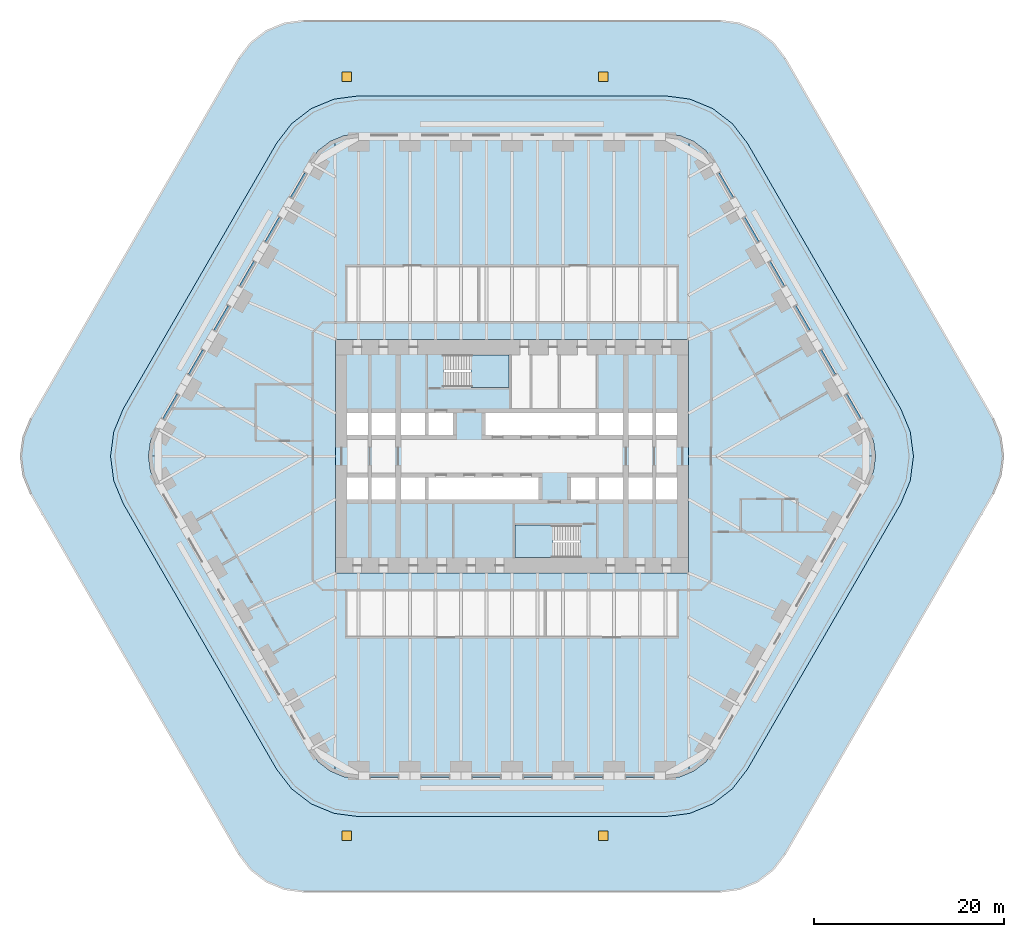
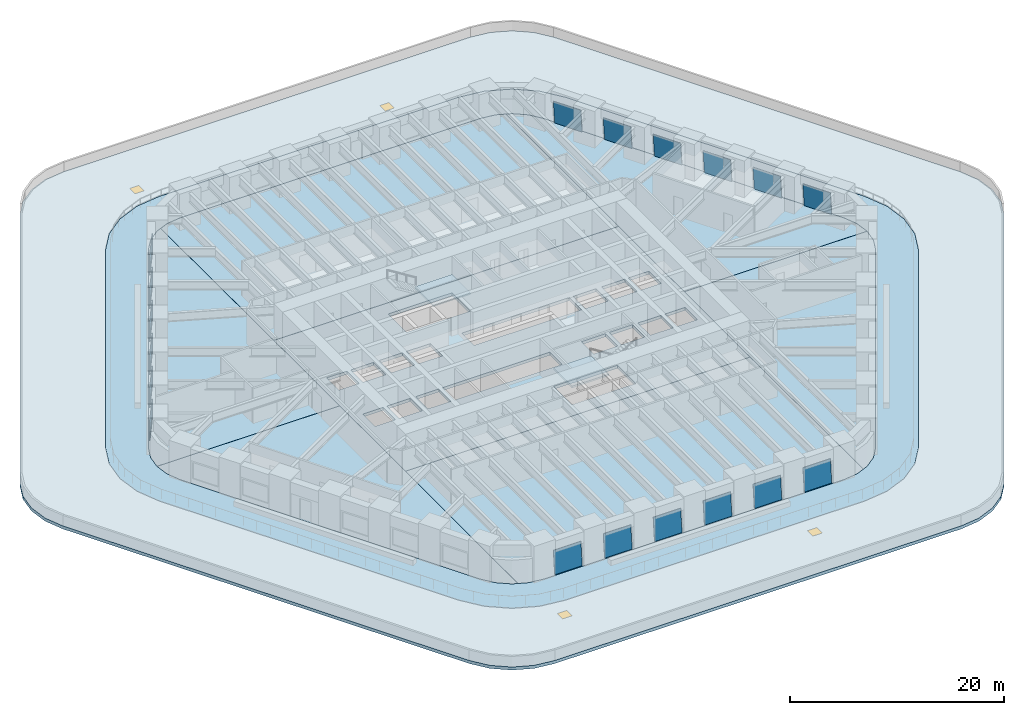
# One storey, part 7 of 17: 18 plates, 11 slabs, 4 windows, 4 openings, 20 elements without a shape of their own.
"""IFC4 building model written with IfcOpenShell, lengths in metres."""

from ifc_helpers import new_model, si_unit, direction, frame, origin, origin_2d, place, context, subcontext, project, spatial, polyline, rectangle, outline, extrude, material, layer, layer_set, type_object, element, fill, aggregate, save


model = new_model("IFC4")

# Units and contexts
model_context = context("Model", 3, precision=1e-05, world=origin(), true_north=direction((0.0, 1.0)))
body_context = subcontext(model_context, "Body", "Model", "MODEL_VIEW")
ifc_project = project(units=[si_unit("LENGTHUNIT", "METRE"), si_unit("AREAUNIT", "SQUARE_METRE"), si_unit("VOLUMEUNIT", "CUBIC_METRE"), si_unit("PLANEANGLEUNIT", "RADIAN"), si_unit("MASSUNIT", "GRAM", prefix="KILO")], contexts=[model_context])

# Site, building, storey
site_placement = place(None, origin())
site = spatial("IfcSite", under=ifc_project, at=site_placement, CompositionType="ELEMENT")
building_placement = place(site_placement, origin())
building = spatial("IfcBuilding", under=site, at=building_placement, Name="Tarfa Lantern Tower", CompositionType="ELEMENT")
storey_placement = place(building_placement, frame((0.0, 0.0, 23.5)))
storey = spatial("IfcBuildingStorey", under=building, at=storey_placement, Name="L04", CompositionType="ELEMENT", Elevation=23.5)

# Curtain wall, plate
ifc_material_1 = material(Name="Aluminium framed curtain wall", Category="aluminium")
curtain_wall_type = type_object("IfcCurtainWallType", Name="CW1 CANTED GLAZING LOW ZONE 2700", PredefinedType="USERDEFINED", material=ifc_material_1)
curtain_wall_1_placement = place(storey_placement, origin())
curtain_wall_1 = element("IfcCurtainWall", 1, at=curtain_wall_1_placement, inside=storey, type_object=curtain_wall_type, Name="CW1 NE L04", ObjectType="CURTAIN WALL", PredefinedType="USERDEFINED")
ifc_material_2 = material(Name="Laminated double glazing", Category="glass")
ifc_layer_1 = layer(ifc_material_2, 0.028076171875)
ifc_layer_set_1 = layer_set([ifc_layer_1], Name="CWP1 DOUBLE GLAZED PANEL")
plate_type = type_object("IfcPlateType", Name="CWP1 DOUBLE GLAZED PANEL", PredefinedType="CURTAIN_PANEL", material=ifc_layer_set_1)
plate_1_placement = place(storey_placement, frame((36.833740234375, 4.002197265625, 0.0), z_axis=(0.862327869115, 0.497882393798, 0.092215877663), x_axis=(-0.500013192991, 0.866017786667, 3.280829e-06)))
plate_1 = element("IfcPlate", 2, at=plate_1_placement, type_object=plate_type, Name="CW1 panel 1.1", PredefinedType="CURTAIN_PANEL", context=body_context, shape_type="SweptSolid", body=[
    extrude(outline(polyline([(0.0, 0.0), (2.9587247608884493, 1.3877787807814457e-17), (2.9586119504863087, 2.6462757391593192), (9.26313130443569e-06, 2.6462952359749448), (0.0, 0.0)])), origin(), (0.0, 0.0, -1.0), 0.028076171875),
])
aggregate(curtain_wall_1, [plate_1])

curtain_wall_2_placement = place(storey_placement, origin())
curtain_wall_2 = element("IfcCurtainWall", 3, at=curtain_wall_2_placement, inside=storey, type_object=curtain_wall_type, Name="CW1 NE L04", ObjectType="CURTAIN WALL", PredefinedType="USERDEFINED")
plate_2_placement = place(storey_placement, frame((34.139404296875, 8.6689453125, 0.0), z_axis=(0.862342481163, 0.497849746867, 0.09225548616), x_axis=(-0.499981985492, 0.866035804215, 0.0)))
plate_2 = element("IfcPlate", 4, at=plate_2_placement, type_object=plate_type, Name="CW1 panel 1.1", PredefinedType="CURTAIN_PANEL", context=body_context, shape_type="SweptSolid", body=[
    extrude(outline(polyline([(0.0, 0.0), (2.9586026892918595, 0.0), (2.958594509928721, 2.6462952380721316), (-8.179363138682455e-06, 2.6462952380721316), (0.0, 0.0)])), origin(), (0.0, 0.0, -1.0), 0.028076171875),
])
aggregate(curtain_wall_2, [plate_2])

curtain_wall_3_placement = place(storey_placement, origin())
curtain_wall_3 = element("IfcCurtainWall", 5, at=curtain_wall_3_placement, inside=storey, type_object=curtain_wall_type, Name="CW1 NE L04", ObjectType="CURTAIN WALL", PredefinedType="USERDEFINED")
plate_3_placement = place(storey_placement, frame((31.445068359375, 13.33544921875, 0.0), z_axis=(0.862331536503, 0.497884511238, 0.09217013953), x_axis=(-0.500012666981, 0.86601809037, -3.279351e-06)))
plate_3 = element("IfcPlate", 6, at=plate_3_placement, type_object=plate_type, Name="CW1 panel 1.1", PredefinedType="CURTAIN_PANEL", context=body_context, shape_type="SweptSolid", body=[
    extrude(outline(polyline([(0.0, 0.0), (2.958602687419229, -2.7755575615628914e-17), (2.9588059463239933, 2.6462839775192477), (8.118549973916932e-05, 2.6462644895697935), (0.0, 0.0)])), origin(), (0.0, 0.0, -1.0), 0.028076171875),
])
aggregate(curtain_wall_3, [plate_3])

curtain_wall_4_placement = place(storey_placement, origin())
curtain_wall_4 = element("IfcCurtainWall", 7, at=curtain_wall_4_placement, inside=storey, type_object=curtain_wall_type, Name="CW1 NE L04", ObjectType="CURTAIN WALL", PredefinedType="USERDEFINED")
plate_4_placement = place(storey_placement, frame((28.750732421875, 18.002197265625, 0.0), z_axis=(0.862327869115, 0.497882393798, 0.092215877663), x_axis=(-0.50001266672, 0.866018090521, -3.280965e-06)))
plate_4 = element("IfcPlate", 8, at=plate_4_placement, type_object=plate_type, Name="CW1 panel 1.1", PredefinedType="CURTAIN_PANEL", context=body_context, shape_type="SweptSolid", body=[
    extrude(outline(polyline([(0.0, 0.0), (2.958602687419245, 1.3877787807814457e-17), (2.9585945118013295, 2.646295235978528), (-0.00013024902287634953, 2.646275738358454), (0.0, 0.0)])), origin(), (0.0, 0.0, -1.0), 0.028076171875),
])
aggregate(curtain_wall_4, [plate_4])

curtain_wall_5_placement = place(storey_placement, origin())
curtain_wall_5 = element("IfcCurtainWall", 9, at=curtain_wall_5_placement, inside=storey, type_object=curtain_wall_type, Name="CW1 NE L04", ObjectType="CURTAIN WALL", PredefinedType="USERDEFINED")
plate_5_placement = place(storey_placement, frame((26.056396484375, 22.6689453125, 0.0), z_axis=(0.862348834857, 0.497853414997, 0.092176266992), x_axis=(-0.499981985492, 0.866035804215, 0.0)))
plate_5 = element("IfcPlate", 10, at=plate_5_placement, type_object=plate_type, Name="CW1 panel 1.1", PredefinedType="CURTAIN_PANEL", context=body_context, shape_type="SweptSolid", body=[
    extrude(outline(polyline([(0.0, 0.0), (2.9586026892918595, 0.0), (2.958472444014294, 2.6462757404522685), (-0.0001302452775655129, 2.6462757404522685), (0.0, 0.0)])), origin(), (0.0, 0.0, -1.0), 0.028076171875),
])
aggregate(curtain_wall_5, [plate_5])

curtain_wall_6_placement = place(storey_placement, origin())
curtain_wall_6 = element("IfcCurtainWall", 11, at=curtain_wall_6_placement, inside=storey, type_object=curtain_wall_type, Name="CW1 NE L04", ObjectType="CURTAIN WALL", PredefinedType="USERDEFINED")
plate_6_placement = place(storey_placement, frame((23.362060546875, 27.33544921875, 0.0), z_axis=(0.862352500545, 0.497855531282, 0.092130531185), x_axis=(-0.499981985492, 0.866035804215, 0.0)))
plate_6 = element("IfcPlate", 12, at=plate_6_placement, type_object=plate_type, Name="CW1 panel 1.1", PredefinedType="CURTAIN_PANEL", context=body_context, shape_type="SweptSolid", body=[
    extrude(outline(polyline([(0.0, 0.0), (2.9586026892918595, -1.3877787807814457e-17), (2.958683878536808, 2.646264491663335), (8.118924494802948e-05, 2.646264491663335), (0.0, 0.0)])), origin(), (0.0, 0.0, -1.0), 0.028076171875),
])
aggregate(curtain_wall_6, [plate_6])

curtain_wall_7_placement = place(storey_placement, origin())
curtain_wall_7 = element("IfcCurtainWall", 13, at=curtain_wall_7_placement, inside=storey, type_object=curtain_wall_type, Name="CW1 NW L04", ObjectType="CURTAIN WALL", PredefinedType="USERDEFINED")
plate_7_placement = place(storey_placement, frame((-21.8828125, 29.897705078125, 0.0), z_axis=(-0.862352500545, 0.497855531282, 0.092130531185), x_axis=(-0.499981985492, -0.866035804215, 0.0)))
plate_7 = element("IfcPlate", 14, at=plate_7_placement, type_object=plate_type, Name="CW1 panel 1.1", PredefinedType="CURTAIN_PANEL", context=body_context, shape_type="SweptSolid", body=[
    extrude(outline(polyline([(0.0, 0.0), (2.9586026892918595, 1.3877787807814457e-17), (2.9585215000469116, 2.646264491663335), (-8.118924494802948e-05, 2.646264491663335), (0.0, 0.0)])), origin(), (0.0, 0.0, -1.0), 0.028076171875),
])
aggregate(curtain_wall_7, [plate_7])

curtain_wall_8_placement = place(storey_placement, origin())
curtain_wall_8 = element("IfcCurtainWall", 15, at=curtain_wall_8_placement, inside=storey, type_object=curtain_wall_type, Name="CW1 NW L04", ObjectType="CURTAIN WALL", PredefinedType="USERDEFINED")
plate_8_placement = place(storey_placement, frame((-24.5771484375, 25.231201171875, 0.0), z_axis=(-0.862348834857, 0.497853414997, 0.092176266992), x_axis=(-0.499981985492, -0.866035804215, 0.0)))
plate_8 = element("IfcPlate", 16, at=plate_8_placement, type_object=plate_type, Name="CW1 panel 1.1", PredefinedType="CURTAIN_PANEL", context=body_context, shape_type="SweptSolid", body=[
    extrude(outline(polyline([(0.0, 0.0), (2.9586026892918595, 0.0), (2.9587329345694253, 2.6462757404522685), (0.0001302452775655129, 2.6462757404522685), (0.0, 0.0)])), origin(), (0.0, 0.0, -1.0), 0.028076171875),
])
aggregate(curtain_wall_8, [plate_8])

curtain_wall_9_placement = place(storey_placement, origin())
curtain_wall_9 = element("IfcCurtainWall", 17, at=curtain_wall_9_placement, inside=storey, type_object=curtain_wall_type, Name="CW1 NW L04", ObjectType="CURTAIN WALL", PredefinedType="USERDEFINED")
plate_9_placement = place(storey_placement, frame((-27.271484375, 20.564453125, 0.0), z_axis=(-0.862327869115, 0.497882393798, 0.092215877663), x_axis=(-0.50001266672, -0.866018090521, 3.280965e-06)))
plate_9 = element("IfcPlate", 18, at=plate_9_placement, type_object=plate_type, Name="CW1 panel 1.1", PredefinedType="CURTAIN_PANEL", context=body_context, shape_type="SweptSolid", body=[
    extrude(outline(polyline([(0.0, 0.0), (2.958602687419245, -1.3877787807814457e-17), (2.9587329364421215, 2.646275738358454), (8.175617915423306e-06, 2.646295235978528), (0.0, 0.0)])), origin(), (0.0, 0.0, -1.0), 0.028076171875),
])
aggregate(curtain_wall_9, [plate_9])

curtain_wall_10_placement = place(storey_placement, origin())
curtain_wall_10 = element("IfcCurtainWall", 19, at=curtain_wall_10_placement, inside=storey, type_object=curtain_wall_type, Name="CW1 NW L04", ObjectType="CURTAIN WALL", PredefinedType="USERDEFINED")
plate_10_placement = place(storey_placement, frame((-29.9658203125, 15.897705078125, 0.0), z_axis=(-0.862331536503, 0.497884511238, 0.09217013953), x_axis=(-0.500012666981, -0.86601809037, 3.279351e-06)))
plate_10 = element("IfcPlate", 20, at=plate_10_placement, type_object=plate_type, Name="CW1 panel 1.1", PredefinedType="CURTAIN_PANEL", context=body_context, shape_type="SweptSolid", body=[
    extrude(outline(polyline([(0.0, 0.0), (2.958602687419229, 2.7755575615628914e-17), (2.95852150191949, 2.6462644895697935), (-0.00020325890476380847, 2.6462839775192477), (0.0, 0.0)])), origin(), (0.0, 0.0, -1.0), 0.028076171875),
])
aggregate(curtain_wall_10, [plate_10])

curtain_wall_11_placement = place(storey_placement, origin())
curtain_wall_11 = element("IfcCurtainWall", 21, at=curtain_wall_11_placement, inside=storey, type_object=curtain_wall_type, Name="CW1 NW L04", ObjectType="CURTAIN WALL", PredefinedType="USERDEFINED")
plate_11_placement = place(storey_placement, frame((-32.66015625, 11.231201171875, 0.0), z_axis=(-0.862342481163, 0.497849746867, 0.09225548616), x_axis=(-0.499981985492, -0.866035804215, 0.0)))
plate_11 = element("IfcPlate", 22, at=plate_11_placement, type_object=plate_type, Name="CW1 panel 1.1", PredefinedType="CURTAIN_PANEL", context=body_context, shape_type="SweptSolid", body=[
    extrude(outline(polyline([(0.0, 0.0), (2.9586026892918595, 0.0), (2.9586108686549983, 2.6462952380721316), (8.179363138682455e-06, 2.6462952380721316), (0.0, 0.0)])), origin(), (0.0, 0.0, -1.0), 0.028076171875),
])
aggregate(curtain_wall_11, [plate_11])

curtain_wall_12_placement = place(storey_placement, origin())
curtain_wall_12 = element("IfcCurtainWall", 23, at=curtain_wall_12_placement, inside=storey, type_object=curtain_wall_type, Name="CW1 NW L04", ObjectType="CURTAIN WALL", PredefinedType="USERDEFINED")
plate_12_placement = place(storey_placement, frame((-35.354248046875, 6.564453125, 0.0), z_axis=(-0.862327869115, 0.497882393798, 0.092215877663), x_axis=(-0.500013192991, -0.866017786667, -3.280829e-06)))
plate_12 = element("IfcPlate", 24, at=plate_12_placement, type_object=plate_type, Name="CW1 panel 1.1", PredefinedType="CURTAIN_PANEL", context=body_context, shape_type="SweptSolid", body=[
    extrude(outline(polyline([(0.0, 0.0), (2.9587247608884493, -1.3877787807814457e-17), (2.9587154977571455, 2.6462952359749448), (0.00011281040214067216, 2.6462757391593192), (0.0, 0.0)])), origin(), (0.0, 0.0, -1.0), 0.028076171875),
])
aggregate(curtain_wall_12, [plate_12])

curtain_wall_13_placement = place(storey_placement, origin())
curtain_wall_13 = element("IfcCurtainWall", 25, at=curtain_wall_13_placement, inside=storey, type_object=curtain_wall_type, Name="CW1 S L04", ObjectType="CURTAIN WALL", PredefinedType="USERDEFINED")
plate_13_placement = place(storey_placement, frame((-14.950927734375, -33.89990234375, 0.0), z_axis=(0.0, -0.995743653657, 0.092166025202), x_axis=(1.0, 0.0, 0.0)))
plate_13 = element("IfcPlate", 26, at=plate_13_placement, type_object=plate_type, Name="CW1 panel 1.1", PredefinedType="CURTAIN_PANEL", context=body_context, shape_type="SweptSolid", body=[
    extrude(outline(polyline([(0.0, 0.0), (2.958740234375, 0.0), (2.958740234375, 2.6462732209712594), (0.0, 2.6462732209712594), (0.0, 0.0)])), origin(), (0.0, 0.0, -1.0), 0.028076171875),
])
aggregate(curtain_wall_13, [plate_13])

curtain_wall_14_placement = place(storey_placement, origin())
curtain_wall_14 = element("IfcCurtainWall", 27, at=curtain_wall_14_placement, inside=storey, type_object=curtain_wall_type, Name="CW1 S L04", ObjectType="CURTAIN WALL", PredefinedType="USERDEFINED")
plate_14_placement = place(storey_placement, frame((-9.562255859375, -33.89990234375, 0.0), z_axis=(0.0, -0.995743653657, 0.092166025202), x_axis=(1.0, 0.0, 0.0)))
plate_14 = element("IfcPlate", 28, at=plate_14_placement, type_object=plate_type, Name="CW1 panel 1.1", PredefinedType="CURTAIN_PANEL", context=body_context, shape_type="SweptSolid", body=[
    extrude(outline(polyline([(0.0, 0.0), (2.958740234375, 0.0), (2.958740234375, 2.6462732209712594), (0.0, 2.6462732209712594), (0.0, 0.0)])), origin(), (0.0, 0.0, -1.0), 0.028076171875),
])
aggregate(curtain_wall_14, [plate_14])

curtain_wall_15_placement = place(storey_placement, origin())
curtain_wall_15 = element("IfcCurtainWall", 29, at=curtain_wall_15_placement, inside=storey, type_object=curtain_wall_type, Name="CW1 S L04", ObjectType="CURTAIN WALL", PredefinedType="USERDEFINED")
plate_15_placement = place(storey_placement, frame((-4.173583984375, -33.89990234375, 0.0), z_axis=(0.0, -0.995743653657, 0.092166025202), x_axis=(1.0, 0.0, 0.0)))
plate_15 = element("IfcPlate", 30, at=plate_15_placement, type_object=plate_type, Name="CW1 panel 1.1", PredefinedType="CURTAIN_PANEL", context=body_context, shape_type="SweptSolid", body=[
    extrude(outline(polyline([(0.0, 0.0), (2.95849609375, 0.0), (2.95849609375, 2.6462732209712594), (0.0, 2.6462732209712594), (0.0, 0.0)])), origin(), (0.0, 0.0, -1.0), 0.028076171875),
])
aggregate(curtain_wall_15, [plate_15])

curtain_wall_16_placement = place(storey_placement, origin())
curtain_wall_16 = element("IfcCurtainWall", 31, at=curtain_wall_16_placement, inside=storey, type_object=curtain_wall_type, Name="CW1 S L04", ObjectType="CURTAIN WALL", PredefinedType="USERDEFINED")
plate_16_placement = place(storey_placement, frame((1.215087890625, -33.89990234375, 0.0), z_axis=(0.0, -0.995743653657, 0.092166025202), x_axis=(1.0, 0.0, 0.0)))
plate_16 = element("IfcPlate", 32, at=plate_16_placement, type_object=plate_type, Name="CW1 panel 1.1", PredefinedType="CURTAIN_PANEL", context=body_context, shape_type="SweptSolid", body=[
    extrude(outline(polyline([(0.0, 0.0), (2.95849609375, 0.0), (2.95849609375, 2.6462732209712594), (0.0, 2.6462732209712594), (0.0, 0.0)])), origin(), (0.0, 0.0, -1.0), 0.028076171875),
])
aggregate(curtain_wall_16, [plate_16])

curtain_wall_17_placement = place(storey_placement, origin())
curtain_wall_17 = element("IfcCurtainWall", 33, at=curtain_wall_17_placement, inside=storey, type_object=curtain_wall_type, Name="CW1 S L04", ObjectType="CURTAIN WALL", PredefinedType="USERDEFINED")
plate_17_placement = place(storey_placement, frame((6.603515625, -33.89990234375, 0.0), z_axis=(0.0, -0.995743653657, 0.092166025202), x_axis=(1.0, 0.0, 0.0)))
plate_17 = element("IfcPlate", 34, at=plate_17_placement, type_object=plate_type, Name="CW1 panel 1.1", PredefinedType="CURTAIN_PANEL", context=body_context, shape_type="SweptSolid", body=[
    extrude(outline(polyline([(0.0, 0.0), (2.958740234375, 0.0), (2.958740234375, 2.6462732209712594), (0.0, 2.6462732209712594), (0.0, 0.0)])), origin(), (0.0, 0.0, -1.0), 0.028076171875),
])
aggregate(curtain_wall_17, [plate_17])

curtain_wall_18_placement = place(storey_placement, origin())
curtain_wall_18 = element("IfcCurtainWall", 35, at=curtain_wall_18_placement, inside=storey, type_object=curtain_wall_type, Name="CW1 S L04", ObjectType="CURTAIN WALL", PredefinedType="USERDEFINED")
plate_18_placement = place(storey_placement, frame((11.9921875, -33.89990234375, 0.0), z_axis=(0.0, -0.995743653657, 0.092166025202), x_axis=(1.0, 0.0, 0.0)))
plate_18 = element("IfcPlate", 36, at=plate_18_placement, type_object=plate_type, Name="CW1 panel 1.1", PredefinedType="CURTAIN_PANEL", context=body_context, shape_type="SweptSolid", body=[
    extrude(outline(polyline([(0.0, 0.0), (2.958740234375, 0.0), (2.958740234375, 2.6462732209712594), (0.0, 2.6462732209712594), (0.0, 0.0)])), origin(), (0.0, 0.0, -1.0), 0.028076171875),
])
aggregate(curtain_wall_18, [plate_18])

# Slabs
ifc_material_3 = material(Name="Concrete C40/50", Category="concrete")
ifc_layer_2 = layer(ifc_material_3, 0.35009765625)
ifc_layer_set_2 = layer_set([ifc_layer_2], Name="FS3 FLOOR SLAB 350")
slab_type_1 = type_object("IfcSlabType", Name="FS3 FLOOR SLAB 350", PredefinedType="FLOOR", material=ifc_layer_set_2)
slab_1_placement = place(storey_placement, frame((0.0, 0.0, -0.35009765625)))
element("IfcSlab", 37, at=slab_1_placement, inside=storey, type_object=slab_type_1, Name="Floor slab L04", PredefinedType="FLOOR", context=body_context, shape_type="SweptSolid", body=[
    extrude(outline(polyline([(-18.60009765625, -12.300048828125), (18.60009765625, -12.300048828125), (18.60009765625, 12.300048828125), (-18.60009765625, 12.300048828125), (-18.60009765625, -12.300048828125)]), holes=[polyline([(-17.39990234375, 2.25), (-15.199951171875, 2.25), (-15.199951171875, 4.550048828125), (-17.39990234375, 4.550048828125), (-17.39990234375, 2.25)]), polyline([(-14.800048828125, 2.25), (-12.300048828125, 2.25), (-12.300048828125, 4.550048828125), (-14.800048828125, 4.550048828125), (-14.800048828125, 2.25)]), polyline([(-11.699951171875, 2.25), (-9.199951171875, 2.25), (-9.199951171875, 4.550048828125), (-11.699951171875, 4.550048828125), (-11.699951171875, 2.25)]), polyline([(-8.800048828125, 2.25), (-6.199951171875, 2.25), (-6.199951171875, 4.550048828125), (-8.800048828125, 4.550048828125), (-8.800048828125, 2.25)]), polyline([(-2.800048828125, 2.25), (8.800048828125, 2.25), (8.800048828125, 4.550048828125), (-2.800048828125, 4.550048828125), (-2.800048828125, 2.25)]), polyline([(9.199951171875, 2.25), (11.699951171875, 2.25), (11.699951171875, 4.550048828125), (9.199951171875, 4.550048828125), (9.199951171875, 2.25)]), polyline([(12.300048828125, 2.25), (14.800048828125, 2.25), (14.800048828125, 4.550048828125), (12.300048828125, 4.550048828125), (12.300048828125, 2.25)]), polyline([(15.199951171875, 2.25), (17.39990234375, 2.25), (17.39990234375, 4.550048828125), (15.199951171875, 4.550048828125), (15.199951171875, 2.25)]), polyline([(17.39990234375, -2.25), (15.199951171875, -2.25), (15.199951171875, -4.550048828125), (17.39990234375, -4.550048828125), (17.39990234375, -2.25)]), polyline([(14.800048828125, -2.25), (12.300048828125, -2.25), (12.300048828125, -4.550048828125), (14.800048828125, -4.550048828125), (14.800048828125, -2.25)]), polyline([(11.699951171875, -2.25), (9.199951171875, -2.25), (9.199951171875, -4.550048828125), (11.699951171875, -4.550048828125), (11.699951171875, -2.25)]), polyline([(8.800048828125, -2.25), (6.199951171875, -2.25), (6.199951171875, -4.550048828125), (8.800048828125, -4.550048828125), (8.800048828125, -2.25)]), polyline([(2.800048828125, -2.25), (-8.800048828125, -2.25), (-8.800048828125, -4.550048828125), (2.800048828125, -4.550048828125), (2.800048828125, -2.25)]), polyline([(-9.199951171875, -2.25), (-11.699951171875, -2.25), (-11.699951171875, -4.550048828125), (-9.199951171875, -4.550048828125), (-9.199951171875, -2.25)]), polyline([(-12.300048828125, -2.25), (-14.800048828125, -2.25), (-14.800048828125, -4.550048828125), (-12.300048828125, -4.550048828125), (-12.300048828125, -2.25)]), polyline([(-15.199951171875, -2.25), (-17.39990234375, -2.25), (-17.39990234375, -4.550048828125), (-15.199951171875, -4.550048828125), (-15.199951171875, -2.25)]), polyline([(-7.199951171875, 7.25), (-0.300048828125, 7.25), (-0.300048828125, 10.699951171875), (-7.199951171875, 10.699951171875), (-7.199951171875, 7.25)]), polyline([(7.199951171875, -7.25), (0.300048828125, -7.25), (0.300048828125, -10.699951171875), (7.199951171875, -10.699951171875), (7.199951171875, -7.25)])]), origin(), (0.0, 0.0, 1.0), 0.35009765625),
])
slab_2_placement = place(storey_placement, frame((0.0, 0.0, -0.35009765625)))
element("IfcSlab", 38, at=slab_2_placement, inside=storey, type_object=slab_type_1, Name="Floor slab L04 NE bay", PredefinedType="FLOOR", context=body_context, shape_type="SweptSolid", body=[
    extrude(outline(polyline([(37.52587890625, 2.9990234375), (21.3603515625, 30.998779296875), (20.406982421875, 32.2412109375), (19.164794921875, 33.1943359375), (18.64697265625, 33.408935546875), (18.60205078125, 12.300048828125), (18.60205078125, 0.001953125), (38.329345703125, 0.001953125), (38.125244140625, 1.552490234375), (37.52587890625, 2.9990234375)])), origin(), (0.0, 0.0, 1.0), 0.35009765625),
])
slab_3_placement = place(storey_placement, frame((0.0, 0.0, -0.35009765625)))
element("IfcSlab", 39, at=slab_3_placement, inside=storey, type_object=slab_type_1, Name="Floor slab L04 N bay", PredefinedType="FLOOR", context=body_context, shape_type="SweptSolid", body=[
    extrude(outline(polyline([(-18.597900390625, 12.302001953125), (18.597900390625, 12.302001953125), (18.64306640625, 33.41064453125), (17.71826171875, 33.793701171875), (16.165771484375, 33.998046875), (-16.165771484375, 33.998046875), (-17.71826171875, 33.793701171875), (-18.64306640625, 33.41064453125), (-18.597900390625, 12.302001953125)])), origin(), (0.0, 0.0, 1.0), 0.35009765625),
])
slab_4_placement = place(storey_placement, frame((0.0, 0.0, -0.35009765625)))
element("IfcSlab", 40, at=slab_4_placement, inside=storey, type_object=slab_type_1, Name="Floor slab L04 NW bay", PredefinedType="FLOOR", context=body_context, shape_type="SweptSolid", body=[
    extrude(outline(polyline([(-18.60205078125, 0.001953125), (-18.60205078125, 12.300048828125), (-18.64697265625, 33.408935546875), (-19.164794921875, 33.1943359375), (-20.406982421875, 32.2412109375), (-21.3603515625, 30.998779296875), (-37.52587890625, 2.9990234375), (-38.125244140625, 1.552490234375), (-38.329345703125, 0.001953125), (-18.60205078125, 0.001953125)])), origin(), (0.0, 0.0, 1.0), 0.35009765625),
])
slab_5_placement = place(storey_placement, frame((0.0, 0.0, -0.35009765625)))
element("IfcSlab", 41, at=slab_5_placement, inside=storey, type_object=slab_type_1, Name="Floor slab L04 SW bay", PredefinedType="FLOOR", context=body_context, shape_type="SweptSolid", body=[
    extrude(outline(polyline([(-18.60205078125, -12.300048828125), (-18.60205078125, -0.001953125), (-38.329345703125, -0.001953125), (-38.125244140625, -1.552490234375), (-37.52587890625, -2.9990234375), (-21.3603515625, -30.998779296875), (-20.406982421875, -32.2412109375), (-19.164794921875, -33.1943359375), (-18.64697265625, -33.408935546875), (-18.60205078125, -12.300048828125)])), origin(), (0.0, 0.0, 1.0), 0.35009765625),
])
slab_6_placement = place(storey_placement, frame((0.0, 0.0, -0.35009765625)))
element("IfcSlab", 42, at=slab_6_placement, inside=storey, type_object=slab_type_1, Name="Floor slab L04 S bay", PredefinedType="FLOOR", context=body_context, shape_type="SweptSolid", body=[
    extrude(outline(polyline([(18.597900390625, -12.302001953125), (-18.597900390625, -12.302001953125), (-18.64306640625, -33.41064453125), (-17.71826171875, -33.793701171875), (-16.165771484375, -33.998046875), (16.165771484375, -33.998046875), (17.71826171875, -33.793701171875), (18.64306640625, -33.41064453125), (18.597900390625, -12.302001953125)])), origin(), (0.0, 0.0, 1.0), 0.35009765625),
])
slab_7_placement = place(storey_placement, frame((0.0, 0.0, -0.35009765625)))
element("IfcSlab", 43, at=slab_7_placement, inside=storey, type_object=slab_type_1, Name="Floor slab L04 SE bay", PredefinedType="FLOOR", context=body_context, shape_type="SweptSolid", body=[
    extrude(outline(polyline([(18.60205078125, -0.001953125), (18.60205078125, -12.300048828125), (18.64697265625, -33.408935546875), (19.164794921875, -33.1943359375), (20.406982421875, -32.2412109375), (21.3603515625, -30.998779296875), (37.52587890625, -2.9990234375), (38.125244140625, -1.552490234375), (38.329345703125, -0.001953125), (18.60205078125, -0.001953125)])), origin(), (0.0, 0.0, 1.0), 0.35009765625),
])
slab_8_placement = place(storey_placement, frame((0.0, 0.0, -0.35009765625)))
element("IfcSlab", 44, at=slab_8_placement, inside=storey, type_object=slab_type_1, Name="Podium roof terrace", PredefinedType="FLOOR", context=body_context, shape_type="SweptSolid", body=[
    extrude(outline(polyline([(40.991943359375, 5.0), (24.826171875, 33.0), (23.23681640625, 35.071044921875), (21.165771484375, 36.66015625), (18.75390625, 37.6591796875), (16.165771484375, 38.0), (-16.165771484375, 38.0), (-18.75390625, 37.6591796875), (-21.165771484375, 36.66015625), (-23.23681640625, 35.071044921875), (-24.826171875, 33.0), (-40.991943359375, 5.0), (-41.990966796875, 2.588134765625), (-42.33154296875, 0.0), (-41.990966796875, -2.588134765625), (-40.991943359375, -5.0), (-24.826171875, -33.0), (-23.23681640625, -35.071044921875), (-21.165771484375, -36.66015625), (-18.75390625, -37.6591796875), (-16.165771484375, -38.0), (16.165771484375, -38.0), (18.75390625, -37.6591796875), (21.165771484375, -36.66015625), (23.23681640625, -35.071044921875), (24.826171875, -33.0), (40.991943359375, -5.0), (41.990966796875, -2.588134765625), (42.33154296875, 0.0), (41.990966796875, 2.588134765625), (40.991943359375, 5.0)]), holes=[polyline([(37.52783203125, 3.0), (21.362060546875, 31.0), (20.408447265625, 32.24267578125), (19.165771484375, 33.196044921875), (17.71875, 33.795654296875), (16.165771484375, 34.0), (-16.165771484375, 34.0), (-17.71875, 33.795654296875), (-19.165771484375, 33.196044921875), (-20.408447265625, 32.24267578125), (-21.362060546875, 31.0), (-37.52783203125, 3.0), (-38.127197265625, 1.552978515625), (-38.33154296875, 0.0), (-38.127197265625, -1.552978515625), (-37.52783203125, -3.0), (-21.362060546875, -31.0), (-20.408447265625, -32.24267578125), (-19.165771484375, -33.196044921875), (-17.71875, -33.795654296875), (-16.165771484375, -34.0), (16.165771484375, -34.0), (17.71875, -33.795654296875), (19.165771484375, -33.196044921875), (20.408447265625, -32.24267578125), (21.362060546875, -31.0), (37.52783203125, -3.0), (38.127197265625, -1.552978515625), (38.33154296875, 0.0), (38.127197265625, 1.552978515625), (37.52783203125, 3.0)])]), origin(), (0.0, 0.0, 1.0), 0.35009765625),
])

# Slab, openings, windows
ifc_layer_3 = layer(ifc_material_3, 0.35009765625)
ifc_layer_set_3 = layer_set([ifc_layer_3], Name="GR2 GREEN ROOF SLAB 350")
slab_type_2 = type_object("IfcSlabType", Name="GR2 GREEN ROOF SLAB 350", PredefinedType="ROOF", material=ifc_layer_set_3)
slab_9_placement = place(storey_placement, frame((0.0, 0.0, -0.35009765625)))
slab_9 = element("IfcSlab", 45, at=slab_9_placement, inside=storey, type_object=slab_type_2, Name="Podium green roof", PredefinedType="ROOF", context=body_context, shape_type="SweptSolid", body=[
    extrude(outline(polyline([(50.806884765625, 4.0), (28.867431640625, 42.0), (27.59619140625, 43.65673828125), (25.939208984375, 44.92822265625), (24.009765625, 45.727294921875), (21.939208984375, 46.0), (-21.939208984375, 46.0), (-24.009765625, 45.727294921875), (-25.939208984375, 44.92822265625), (-27.59619140625, 43.65673828125), (-28.867431640625, 42.0), (-50.806884765625, 4.0), (-51.60595703125, 2.070556640625), (-51.878662109375, 0.0), (-51.60595703125, -2.070556640625), (-50.806884765625, -4.0), (-28.867431640625, -42.0), (-27.59619140625, -43.65673828125), (-25.939208984375, -44.92822265625), (-24.009765625, -45.727294921875), (-21.939208984375, -46.0), (21.939208984375, -46.0), (24.009765625, -45.727294921875), (25.939208984375, -44.92822265625), (27.59619140625, -43.65673828125), (28.867431640625, -42.0), (50.806884765625, -4.0), (51.60595703125, -2.070556640625), (51.878662109375, 0.0), (51.60595703125, 2.070556640625), (50.806884765625, 4.0)]), holes=[polyline([(40.991943359375, 5.0), (24.826171875, 33.0), (23.23681640625, 35.071044921875), (21.165771484375, 36.66015625), (18.75390625, 37.6591796875), (16.165771484375, 38.0), (-16.165771484375, 38.0), (-18.75390625, 37.6591796875), (-21.165771484375, 36.66015625), (-23.23681640625, 35.071044921875), (-24.826171875, 33.0), (-40.991943359375, 5.0), (-41.990966796875, 2.588134765625), (-42.33154296875, 0.0), (-41.990966796875, -2.588134765625), (-40.991943359375, -5.0), (-24.826171875, -33.0), (-23.23681640625, -35.071044921875), (-21.165771484375, -36.66015625), (-18.75390625, -37.6591796875), (-16.165771484375, -38.0), (16.165771484375, -38.0), (18.75390625, -37.6591796875), (21.165771484375, -36.66015625), (23.23681640625, -35.071044921875), (24.826171875, -33.0), (40.991943359375, -5.0), (41.990966796875, -2.588134765625), (42.33154296875, 0.0), (41.990966796875, 2.588134765625), (40.991943359375, 5.0)])]), origin(), (0.0, 0.0, 1.0), 0.35009765625),
])
opening_1_placement = place(slab_9_placement, frame((9.60009765625, 40.0, 0.0)))
opening_1 = element("IfcOpeningElement", 46, at=opening_1_placement, cuts=slab_9, Name="Opening RH2", PredefinedType="OPENING", context=body_context, shape_type="SweptSolid", body=[
    extrude(rectangle(XDim=1.0, YDim=1.0, at=origin_2d()), origin(), (0.0, 0.0, 1.0), 0.35009765625),
])
opening_2_placement = place(slab_9_placement, frame((-17.39990234375, 40.0, 0.0)))
opening_2 = element("IfcOpeningElement", 47, at=opening_2_placement, cuts=slab_9, Name="Opening RH2", PredefinedType="OPENING", context=body_context, shape_type="SweptSolid", body=[
    extrude(rectangle(XDim=1.0, YDim=1.0, at=origin_2d()), origin(), (0.0, 0.0, 1.0), 0.35009765625),
])
opening_3_placement = place(slab_9_placement, frame((-17.39990234375, -40.0, 0.0)))
opening_3 = element("IfcOpeningElement", 48, at=opening_3_placement, cuts=slab_9, Name="Opening RH2", PredefinedType="OPENING", context=body_context, shape_type="SweptSolid", body=[
    extrude(rectangle(XDim=1.0, YDim=1.0, at=origin_2d()), origin(), (0.0, 0.0, 1.0), 0.35009765625),
])
opening_4_placement = place(slab_9_placement, frame((9.60009765625, -40.0, 0.0)))
opening_4 = element("IfcOpeningElement", 49, at=opening_4_placement, cuts=slab_9, Name="Opening RH2", PredefinedType="OPENING", context=body_context, shape_type="SweptSolid", body=[
    extrude(rectangle(XDim=1.0, YDim=1.0, at=origin_2d()), origin(), (0.0, 0.0, 1.0), 0.35009765625),
])
ifc_material_4 = material(Name="Aluminium roof hatch", Category="aluminium")
window_type = type_object("IfcWindowType", Name="RH2 GREEN ROOF ACCESS HATCH 1000x1000", PartitioningType="SINGLE_PANEL", PredefinedType="SKYLIGHT", material=ifc_material_4)
window_1_placement = place(opening_1_placement, frame((0.0, 0.0, 0.300048828125)))
window_1 = element("IfcWindow", 50, at=window_1_placement, inside=storey, type_object=window_type, Name="Green roof access hatch ST3", OverallHeight=1.0, OverallWidth=1.0, PartitioningType="SINGLE_PANEL", PredefinedType="SKYLIGHT", context=body_context, shape_type="SweptSolid", body=[
    extrude(rectangle(XDim=1.0, YDim=1.0, at=origin_2d()), origin(), (0.0, 0.0, 1.0), 0.050048828125),
])
fill(opening_1, window_1)
window_2_placement = place(opening_2_placement, frame((0.0, 0.0, 0.300048828125)))
window_2 = element("IfcWindow", 51, at=window_2_placement, inside=storey, type_object=window_type, Name="Green roof access hatch ST4", OverallHeight=1.0, OverallWidth=1.0, PartitioningType="SINGLE_PANEL", PredefinedType="SKYLIGHT", context=body_context, shape_type="SweptSolid", body=[
    extrude(rectangle(XDim=1.0, YDim=1.0, at=origin_2d()), origin(), (0.0, 0.0, 1.0), 0.050048828125),
])
fill(opening_2, window_2)
window_3_placement = place(opening_3_placement, frame((0.0, 0.0, 0.300048828125)))
window_3 = element("IfcWindow", 52, at=window_3_placement, inside=storey, type_object=window_type, Name="Green roof access hatch ST5", OverallHeight=1.0, OverallWidth=1.0, PartitioningType="SINGLE_PANEL", PredefinedType="SKYLIGHT", context=body_context, shape_type="SweptSolid", body=[
    extrude(rectangle(XDim=1.0, YDim=1.0, at=origin_2d()), origin(), (0.0, 0.0, 1.0), 0.050048828125),
])
fill(opening_3, window_3)
window_4_placement = place(opening_4_placement, frame((0.0, 0.0, 0.300048828125)))
window_4 = element("IfcWindow", 53, at=window_4_placement, inside=storey, type_object=window_type, Name="Green roof access hatch ST6", OverallHeight=1.0, OverallWidth=1.0, PartitioningType="SINGLE_PANEL", PredefinedType="SKYLIGHT", context=body_context, shape_type="SweptSolid", body=[
    extrude(rectangle(XDim=1.0, YDim=1.0, at=origin_2d()), origin(), (0.0, 0.0, 1.0), 0.050048828125),
])
fill(opening_4, window_4)

# Stair, slab
stair_type = type_object("IfcStairType", Name="ST-T10 HALF-TURN STAIR 4200 RISE", PredefinedType="HALF_TURN_STAIR", material=ifc_material_3)
stair_1_placement = place(storey_placement, origin())
stair_1 = element("IfcStair", 54, at=stair_1_placement, inside=storey, type_object=stair_type, Name="Stair ST1", PredefinedType="HALF_TURN_STAIR")
ifc_layer_4 = layer(ifc_material_3, 0.199951171875)
ifc_layer_set_4 = layer_set([ifc_layer_4], Name="SL1 STAIR LANDING 200")
slab_type_3 = type_object("IfcSlabType", Name="SL1 STAIR LANDING 200", PredefinedType="LANDING", material=ifc_layer_set_4)
slab_10_placement = place(storey_placement, frame((0.0, 0.0, 1.89990234375)))
slab_10 = element("IfcSlab", 55, at=slab_10_placement, type_object=slab_type_3, Name="ST1 landing 1", PredefinedType="LANDING", context=body_context, shape_type="SweptSolid", body=[
    extrude(outline(polyline([(-4.320068359375, 7.25), (-0.300048828125, 7.25), (-0.300048828125, 10.699951171875), (-4.320068359375, 10.699951171875), (-4.320068359375, 7.25)])), origin(), (0.0, 0.0, 1.0), 0.2001953125),
])
aggregate(stair_1, [slab_10])

stair_2_placement = place(storey_placement, origin())
stair_2 = element("IfcStair", 56, at=stair_2_placement, inside=storey, type_object=stair_type, Name="Stair ST2", PredefinedType="HALF_TURN_STAIR")
slab_11_placement = place(storey_placement, frame((0.0, 0.0, 1.89990234375)))
slab_11 = element("IfcSlab", 57, at=slab_11_placement, type_object=slab_type_3, Name="ST2 landing 1", PredefinedType="LANDING", context=body_context, shape_type="SweptSolid", body=[
    extrude(outline(polyline([(4.320068359375, -7.25), (0.300048828125, -7.25), (0.300048828125, -10.699951171875), (4.320068359375, -10.699951171875), (4.320068359375, -7.25)])), origin(), (0.0, 0.0, 1.0), 0.2001953125),
])
aggregate(stair_2, [slab_11])

save(model, "model.ifc")
